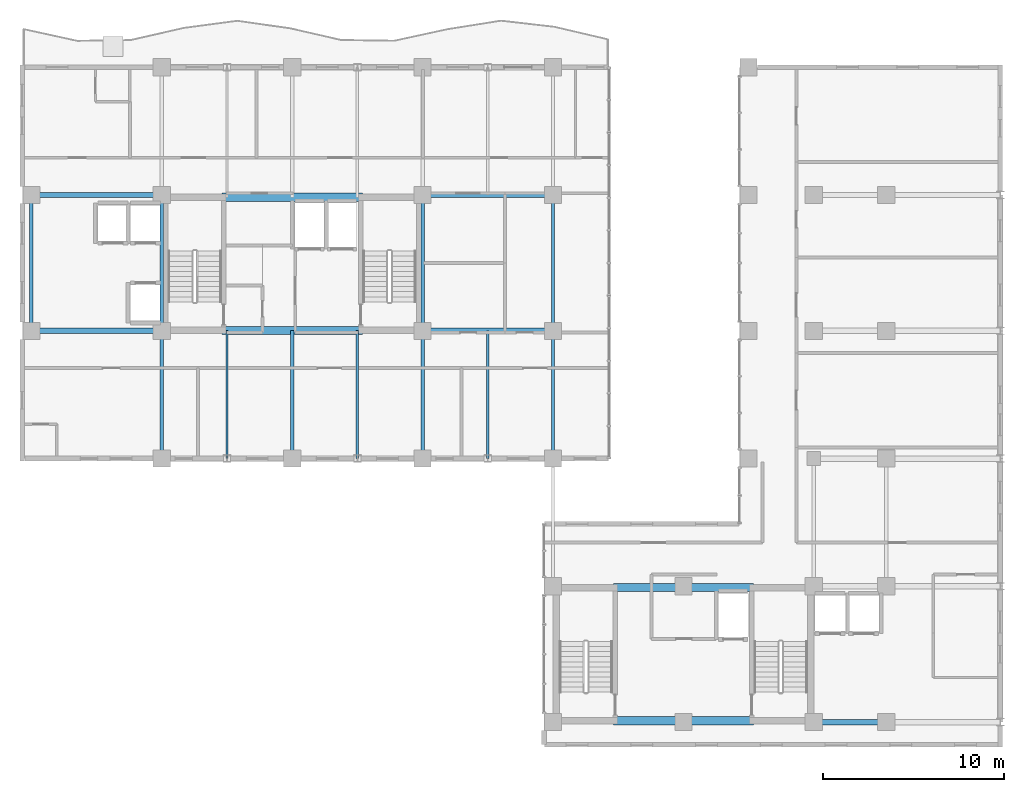
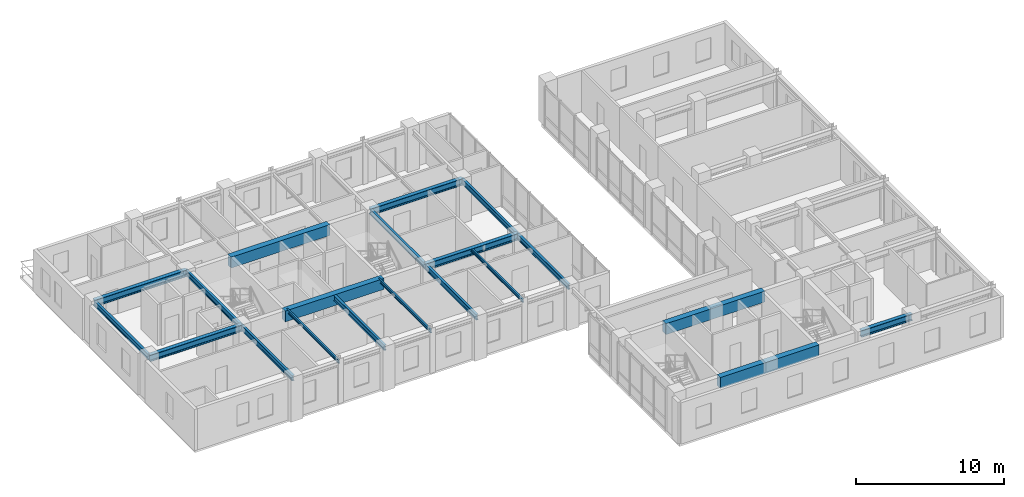
# One storey, part 6 of 24: 20 beams.
"""IFC4 building model written with IfcOpenShell, lengths in metres."""

import ifcopenshell
import ifcopenshell.guid

model = None  # the IFC model being written
_history = None  # IfcOwnerHistory: only IFC2X3 demands one
_inside = {}  # id of a spatial element -> (the spatial element, [elements in it])
_under = {}  # id of a project, library or spatial element -> (it, [spatial elements below it])
_declared = {}  # id of a project -> (the project, [libraries it declares])
_typed = {}  # id of a type object -> (the type object, [elements of that type])
_made_of = {}  # id of a material, layer set ... -> (it, [elements and type objects made of it])


def new_model(schema):
    """Start an empty IFC model of exactly this schema.

    Asked for "IFC4X3", IfcOpenShell would pick the latest addendum, in which some entities
    have other attributes; the version numbers below select the first issue.
    IFC2X3 requires an IfcOwnerHistory on every rooted entity: one is made here for all.
    """
    global model, _history
    if schema == "IFC4X3":
        model = ifcopenshell.file(schema_version=(4, 3, 0, 0))
    else:
        model = ifcopenshell.file(schema=schema)
    _inside.clear()
    _under.clear()
    _declared.clear()
    _typed.clear()
    _made_of.clear()
    _history = None
    if model.schema == "IFC2X3":
        org = make("IfcOrganization", Name="unknown")
        user = make(
            "IfcPersonAndOrganization",
            ThePerson=make("IfcPerson", FamilyName="unknown"),
            TheOrganization=org,
        )
        app = make(
            "IfcApplication",
            ApplicationDeveloper=org,
            Version="unknown",
            ApplicationFullName="unknown",
            ApplicationIdentifier="unknown",
        )
        _history = make(
            "IfcOwnerHistory",
            OwningUser=user,
            OwningApplication=app,
            ChangeAction="ADDED",
            CreationDate=0,
        )
    return model


def make(cls, **values):
    """One entity of the class cls with the attributes given. An attribute that is None is left unset."""
    return model.create_entity(
        cls, **{name: value for name, value in values.items() if value is not None}
    )


def rooted(cls, **values):
    """An entity with a GlobalId (a new one), such as an element, a storey or a relation."""
    return make(cls, GlobalId=ifcopenshell.guid.new(), OwnerHistory=_history, **values)


def si_unit(unit_type, name, prefix=None):
    """IfcSIUnit, for example si_unit("LENGTHUNIT", "METRE", prefix="MILLI")."""
    return make("IfcSIUnit", UnitType=unit_type, Prefix=prefix, Name=name)


def assignment(units):
    """IfcUnitAssignment: the units of a project."""
    return None if units is None else make("IfcUnitAssignment", Units=units)


def point(xyz):
    """IfcCartesianPoint."""
    return None if xyz is None else make("IfcCartesianPoint", Coordinates=xyz)


def direction(xyz):
    """IfcDirection."""
    return None if xyz is None else make("IfcDirection", DirectionRatios=xyz)


def frame(location, z_axis=None, x_axis=None):
    """IfcAxis2Placement3D, a coordinate frame: its origin and axes. An axis left out is left unset."""
    return make(
        "IfcAxis2Placement3D",
        Location=point(location),
        Axis=direction(z_axis),
        RefDirection=direction(x_axis),
    )


def frame_2d(location, x_axis=None):
    """IfcAxis2Placement2D, a coordinate frame in the plane: its origin and x axis."""
    return make(
        "IfcAxis2Placement2D", Location=point(location), RefDirection=direction(x_axis)
    )


def origin():
    """The frame at (0, 0, 0) with its axes left unset."""
    return frame((0.0, 0.0, 0.0))


def origin_2d():
    """The frame at (0, 0) in the plane with its x axis left unset."""
    return frame_2d((0.0, 0.0))


def place(relative_to, where):
    """IfcLocalPlacement: puts the frame where relative to a parent placement (None: the world)."""
    return make(
        "IfcLocalPlacement", PlacementRelTo=relative_to, RelativePlacement=where
    )


def context(
    kind, dimensions, precision=None, world=None, true_north=None, identifier=None
):
    """IfcGeometricRepresentationContext, for example the 3D "Model" context."""
    return make(
        "IfcGeometricRepresentationContext",
        ContextIdentifier=identifier,
        ContextType=kind,
        CoordinateSpaceDimension=dimensions,
        Precision=precision,
        WorldCoordinateSystem=world,
        TrueNorth=true_north,
    )


def subcontext(parent, identifier, kind, view, scale=None):
    """IfcGeometricRepresentationSubContext, for example "Body" below "Model"."""
    return make(
        "IfcGeometricRepresentationSubContext",
        ContextIdentifier=identifier,
        ContextType=kind,
        ParentContext=parent,
        TargetScale=scale,
        TargetView=view,
    )


def project(units=None, contexts=None):
    """IfcProject with its units and contexts."""
    return rooted(
        "IfcProject",
        Name="project",
        RepresentationContexts=contexts,
        UnitsInContext=assignment(units),
    )


def spatial(cls, under=None, at=None, **own):
    """A site, building, storey or space (cls), placed at a placement, below another one or the project."""
    s = rooted(cls, ObjectPlacement=at, **own)
    if under is not None:
        _under.setdefault(under.id(), (under, []))[1].append(s)
    return s


def profile(cls, at=None, kind="AREA", **sizes):
    """A parametric profile (cls). Its sizes go by their IFC names, for example OverallWidth=200.0."""
    return make(cls, ProfileType=kind, Position=at, **sizes)


def rectangle(**sizes):
    """IfcRectangleProfileDef."""
    return profile("IfcRectangleProfileDef", **sizes)


def i_section(**sizes):
    """IfcIShapeProfileDef."""
    return profile("IfcIShapeProfileDef", **sizes)


def extrude(swept, where, along, depth):
    """IfcExtrudedAreaSolid: the profile swept, set in the frame where, extruded along a direction by depth."""
    return make(
        "IfcExtrudedAreaSolid",
        SweptArea=swept,
        Position=where,
        ExtrudedDirection=direction(along),
        Depth=depth,
    )


def shape(context_of_items, identifier, shape_type, items):
    """IfcShapeRepresentation: the items that make up one representation, for example the "Body"."""
    return make(
        "IfcShapeRepresentation",
        ContextOfItems=context_of_items,
        RepresentationIdentifier=identifier,
        RepresentationType=shape_type,
        Items=items,
    )


def source(mapping_origin, context_of_items, identifier, shape_type, items):
    """IfcRepresentationMap: a shape defined once, which mapped items show again and again."""
    return make(
        "IfcRepresentationMap",
        MappingOrigin=mapping_origin,
        MappedRepresentation=shape(context_of_items, identifier, shape_type, items),
    )


def transform(
    local_origin,
    x_axis=None,
    y_axis=None,
    z_axis=None,
    scale=None,
    scale2=None,
    scale3=None,
    uniform=True,
):
    """IfcCartesianTransformationOperator3D, or its non-uniform kind. x_axis, y_axis, z_axis: its Axis1, 2, 3."""
    if uniform:
        return make(
            "IfcCartesianTransformationOperator3D",
            Axis1=direction(x_axis),
            Axis2=direction(y_axis),
            LocalOrigin=point(local_origin),
            Scale=scale,
            Axis3=direction(z_axis),
        )
    return make(
        "IfcCartesianTransformationOperator3DnonUniform",
        Axis1=direction(x_axis),
        Axis2=direction(y_axis),
        LocalOrigin=point(local_origin),
        Scale=scale,
        Axis3=direction(z_axis),
        Scale2=scale2,
        Scale3=scale3,
    )


def mapped(mapping_source, mapping_target):
    """IfcMappedItem: shows the shape of a source again, moved by a transform."""
    return make(
        "IfcMappedItem", MappingSource=mapping_source, MappingTarget=mapping_target
    )


def material(Name=None, Category=None):
    """IfcMaterial."""
    return make("IfcMaterial", Name=Name, Category=Category)


def material_profile(
    of_material, cross_section, Name=None, Category=None, Priority=None
):
    """IfcMaterialProfile: a cross section and its material."""
    return make(
        "IfcMaterialProfile",
        Name=Name,
        Material=of_material,
        Profile=cross_section,
        Priority=Priority,
        Category=Category,
    )


def profile_set(profiles, Name=None, composite=None):
    """IfcMaterialProfileSet."""
    return make(
        "IfcMaterialProfileSet",
        Name=Name,
        MaterialProfiles=profiles,
        CompositeProfile=composite,
    )


def made_of(thing, what):
    """Note that an element or type object is made of a material, layer set ...; save() writes the relation."""
    if what is not None:
        _made_of.setdefault(what.id(), (what, []))[1].append(thing)
    return thing


def type_object(cls, material=None, **own):
    """A type object (cls), such as IfcWallType, which elements share."""
    return made_of(rooted(cls, **own), material)


def element(
    cls,
    number,
    at=None,
    inside=None,
    cuts=None,
    type_object=None,
    material=None,
    context=None,
    identifier="Body",
    shape_type=None,
    held_by="IfcProductDefinitionShape",
    body=None,
    shapes=None,
    **own,
):
    """One element of the class cls, such as IfcWall. Its Tag is "e" and its number.

    at: its placement. inside: the storey or other place that contains it. cuts: it is an
    opening in that element (IfcRelVoidsElement). A single representation is given by context,
    identifier, shape_type and body (its items); several are given by shapes. held_by: the class
    of the entity that holds the representations. save() writes the other relations.
    """
    e = rooted(cls, Tag="e%d" % number, ObjectPlacement=at, **own)
    if body is not None:
        shapes = [shape(context, identifier, shape_type, body)]
    if shapes is not None:
        e.Representation = make(held_by, Representations=shapes)
    if inside is not None:
        _inside.setdefault(inside.id(), (inside, []))[1].append(e)
    if cuts is not None:
        rooted(
            "IfcRelVoidsElement", RelatingBuildingElement=cuts, RelatedOpeningElement=e
        )
    if type_object is not None:
        _typed.setdefault(type_object.id(), (type_object, []))[1].append(e)
    return made_of(e, material)


def aggregate(whole, parts):
    """IfcRelAggregates: a whole, such as a stair, and the parts it consists of."""
    return rooted("IfcRelAggregates", RelatingObject=whole, RelatedObjects=parts)


def save(model, path):
    """Write the relations noted so far, then the file.

    IfcRelAggregates (storeys below a building ...), IfcRelContainedInSpatialStructure (elements
    in a storey), IfcRelDefinesByType, IfcRelAssociatesMaterial and IfcRelDeclares: one each for
    every whole, place, type object, material and project.
    """
    for whole, parts in _under.values():
        aggregate(whole, parts)
    for where, things in _inside.values():
        rooted(
            "IfcRelContainedInSpatialStructure",
            RelatedElements=things,
            RelatingStructure=where,
        )
    for kind, things in _typed.values():
        rooted("IfcRelDefinesByType", RelatedObjects=things, RelatingType=kind)
    for what, things in _made_of.values():
        rooted("IfcRelAssociatesMaterial", RelatedObjects=things, RelatingMaterial=what)
    for by, libraries in _declared.values():
        rooted("IfcRelDeclares", RelatingContext=by, RelatedDefinitions=libraries)
    model.write(path)


model = new_model("IFC4")

# Units and contexts
model_context = context("Model", 3, precision=1e-05, world=origin(), true_north=direction((0.0, 1.0)))
body_context = subcontext(model_context, "Body", "Model", "MODEL_VIEW")
ifc_project = project(units=[si_unit("LENGTHUNIT", "METRE"), si_unit("AREAUNIT", "SQUARE_METRE"), si_unit("VOLUMEUNIT", "CUBIC_METRE"), si_unit("PLANEANGLEUNIT", "RADIAN"), si_unit("MASSUNIT", "GRAM", prefix="KILO")], contexts=[model_context])

# Site, building, storey
site_placement = place(None, origin())
site = spatial("IfcSite", under=ifc_project, at=site_placement, CompositionType="ELEMENT")
building_placement = place(site_placement, origin())
building = spatial("IfcBuilding", under=site, at=building_placement, Name="Kaliganga Portal Commons", CompositionType="ELEMENT")
storey_placement = place(building_placement, frame((0.0, 0.0, 238.800048828125)))
storey = spatial("IfcBuildingStorey", under=building, at=storey_placement, Name="L61", CompositionType="ELEMENT", Elevation=238.800048828125)

# Beams
ifc_material_1 = material(Name="Concrete C50/60", Category="concrete")
ifc_material_profile_1 = material_profile(ifc_material_1, rectangle(XDim=0.449951171875, YDim=0.89990234375, at=origin_2d()), Name="RC 450x900")
ifc_profile_set_1 = profile_set([ifc_material_profile_1], Name="Concrete C50/60")
beam_type_1 = type_object("IfcBeamType", Name="BM-CPL-900", PredefinedType="LINTEL", material=ifc_profile_set_1)
shared_shape_1 = source(origin(), body_context, "Body", "SweptSolid", [
    extrude(rectangle(XDim=0.449951171875, YDim=0.89990234375, at=origin_2d()), origin(), (0.0, 0.0, 1.0), 7.739990234375),
])
for number, where, z_axis, x_axis, name in (
    (1, (17.72998046875, 28.675048828125, 2.989990234375), (1.0, 0.0, 0.0), (0.0, 1.0, 0.0), "BM CPL COREA L61 S"),
    (2, (17.72998046875, 36.02490234375, 2.989990234375), (1.0, 0.0, 0.0), (0.0, 1.0, 0.0), "BM CPL COREA L61 N"),
    (3, (39.330078125, 7.125, 2.989990234375), (1.0, 0.0, 0.0), (0.0, 1.0, 0.0), "BM CPL COREB L61 S"),
    (4, (39.330078125, 14.47509765625, 2.989990234375), (1.0, 0.0, 0.0), (0.0, 1.0, 0.0), "BM CPL COREB L61 N"),
):
    element("IfcBeam", number, at=place(storey_placement, frame(where, z_axis=z_axis, x_axis=x_axis)), inside=storey, type_object=beam_type_1, Name=name, PredefinedType="LINTEL", context=body_context, shape_type="MappedRepresentation", body=[
        mapped(shared_shape_1, transform((0.0, 0.0, 0.0), x_axis=(1.0, 0.0, 0.0), y_axis=(0.0, 1.0, 0.0), z_axis=(0.0, 0.0, 1.0), scale=1.0)),
    ])
ifc_material_2 = material(Name="Structural steel S355J2", Category="steel")
ifc_material_profile_2 = material_profile(ifc_material_2, i_section(OverallWidth=0.18994140625, OverallDepth=0.449951171875, WebThickness=0.009521484375, FlangeThickness=0.0146484375, FilletRadius=0.02099609375, at=origin_2d()), Name="IPE 450")
ifc_profile_set_2 = profile_set([ifc_material_profile_2], Name="Structural steel S355J2 wide-flange")
beam_type_2 = type_object("IfcBeamType", Name="BM-FLR-450", PredefinedType="BEAM", material=ifc_profile_set_2)
shared_shape_2 = source(origin(), body_context, "Body", "SweptSolid", [
    extrude(i_section(OverallWidth=0.18994140625, OverallDepth=0.449951171875, WebThickness=0.009521484375, FlangeThickness=0.0146484375, FilletRadius=0.02099609375, at=origin_2d()), origin(), (0.0, 0.0, 1.0), 7.5),
])
for number, where, z_axis, x_axis, name in (
    (5, (7.199951171875, 28.64990234375, 3.21484375), (0.0, 1.0, 0.0), (-1.0, 0.0, 0.0), "BM G L61 AW72"),
    (6, (14.39990234375, 28.64990234375, 3.21484375), (0.0, 1.0, 0.0), (-1.0, 0.0, 0.0), "BM G L61 AM144"),
    (7, (28.800048828125, 28.64990234375, 3.21484375), (0.0, 1.0, 0.0), (-1.0, 0.0, 0.0), "BM G L61 AM288"),
    (8, (36.0, 28.64990234375, 3.21484375), (0.0, 1.0, 0.0), (-1.0, 0.0, 0.0), "BM G L61 AM360"),
):
    element("IfcBeam", number, at=place(storey_placement, frame(where, z_axis=z_axis, x_axis=x_axis)), inside=storey, type_object=beam_type_2, Name=name, PredefinedType="BEAM", context=body_context, shape_type="MappedRepresentation", body=[
        mapped(shared_shape_2, transform((0.0, 0.0, 0.0), x_axis=(1.0, 0.0, 0.0), y_axis=(0.0, 1.0, 0.0), z_axis=(0.0, 0.0, 1.0), scale=1.0)),
    ])
shared_shape_3 = source(origin(), body_context, "Body", "SweptSolid", [
    extrude(i_section(OverallWidth=0.18994140625, OverallDepth=0.449951171875, WebThickness=0.009521484375, FlangeThickness=0.0146484375, FilletRadius=0.02099609375, at=origin_2d()), origin(), (0.0, 0.0, 1.0), 7.0498046875),
])
for number, where, z_axis, x_axis, name in (
    (9, (14.39990234375, 21.60009765625, 3.21484375), (0.0, 1.0, 0.0), (-1.0, 0.0, 0.0), "BM G L61 AS144"),
    (10, (28.800048828125, 21.60009765625, 3.21484375), (0.0, 1.0, 0.0), (-1.0, 0.0, 0.0), "BM G L61 AS288"),
    (11, (36.0, 21.60009765625, 3.21484375), (0.0, 1.0, 0.0), (-1.0, 0.0, 0.0), "BM G L61 AS360"),
):
    element("IfcBeam", number, at=place(storey_placement, frame(where, z_axis=z_axis, x_axis=x_axis)), inside=storey, type_object=beam_type_2, Name=name, PredefinedType="BEAM", context=body_context, shape_type="MappedRepresentation", body=[
        mapped(shared_shape_3, transform((0.0, 0.0, 0.0), x_axis=(1.0, 0.0, 0.0), y_axis=(0.0, 1.0, 0.0), z_axis=(0.0, 0.0, 1.0), scale=1.0)),
    ])
ifc_material_profile_3 = material_profile(ifc_material_2, i_section(OverallWidth=0.300048828125, OverallDepth=0.550048828125, WebThickness=0.014892578125, FlangeThickness=0.029052734375, FilletRadius=0.027099609375, at=origin_2d()), Name="HE 550 B")
ifc_profile_set_3 = profile_set([ifc_material_profile_3], Name="Structural steel S355J2 wide-flange")
beam_type_3 = type_object("IfcBeamType", Name="BM-GIRD-550", PredefinedType="USERDEFINED", material=ifc_profile_set_3)
shared_shape_4 = source(origin(), body_context, "Body", "SweptSolid", [
    extrude(i_section(OverallWidth=0.300048828125, OverallDepth=0.550048828125, WebThickness=0.014892578125, FlangeThickness=0.029052734375, FilletRadius=0.027099609375, at=origin_2d()), origin(), (0.0, 0.0, 1.0), 7.199951171875),
])
for number, where, z_axis, x_axis, name in (
    (12, (7.199951171875, 28.64990234375, 3.1650390625), (1.0, 0.0, 0.0), (0.0, 1.0, 0.0), "BM G L61 WAH_S 1"),
    (13, (7.199951171875, 36.14990234375, 3.1650390625), (1.0, 0.0, 0.0), (0.0, 1.0, 0.0), "BM G L61 WAH_N 1"),
    (14, (28.800048828125, 28.64990234375, 3.1650390625), (1.0, 0.0, 0.0), (0.0, 1.0, 0.0), "BM G L61 WAE_S 1"),
    (15, (28.800048828125, 36.14990234375, 3.1650390625), (1.0, 0.0, 0.0), (0.0, 1.0, 0.0), "BM G L61 WAE_N 1"),
):
    element("IfcBeam", number, at=place(storey_placement, frame(where, z_axis=z_axis, x_axis=x_axis)), inside=storey, type_object=beam_type_3, Name=name, ObjectType="GIRDER", PredefinedType="USERDEFINED", context=body_context, shape_type="MappedRepresentation", body=[
        mapped(shared_shape_4, transform((0.0, 0.0, 0.0), x_axis=(1.0, 0.0, 0.0), y_axis=(0.0, 1.0, 0.0), z_axis=(0.0, 0.0, 1.0), scale=1.0)),
    ])
shared_shape_5 = source(origin(), body_context, "Body", "SweptSolid", [
    extrude(i_section(OverallWidth=0.18994140625, OverallDepth=0.449951171875, WebThickness=0.009521484375, FlangeThickness=0.0146484375, FilletRadius=0.02099609375, at=origin_2d()), origin(), (0.0, 0.0, 1.0), 7.074951171875),
])
beam_1_placement = place(storey_placement, frame((21.60009765625, 21.60009765625, 3.21484375), z_axis=(0.0, 1.0, 0.0), x_axis=(-1.0, 0.0, 0.0)))
element("IfcBeam", 16, at=beam_1_placement, inside=storey, type_object=beam_type_2, Name="BM G L61 AS216", PredefinedType="BEAM", context=body_context, shape_type="MappedRepresentation", body=[
    mapped(shared_shape_5, transform((0.0, 0.0, 0.0), x_axis=(1.0, 0.0, 0.0), y_axis=(0.0, 1.0, 0.0), z_axis=(0.0, 0.0, 1.0), scale=1.0)),
])
shared_shape_6 = source(origin(), body_context, "Body", "SweptSolid", [
    extrude(i_section(OverallWidth=0.300048828125, OverallDepth=0.550048828125, WebThickness=0.014892578125, FlangeThickness=0.029052734375, FilletRadius=0.027099609375, at=origin_2d()), origin(), (0.0, 0.0, 1.0), 4.0),
])
beam_2_placement = place(storey_placement, frame((50.39990234375, 7.050048828125, 3.1650390625), z_axis=(1.0, 0.0, 0.0), x_axis=(0.0, 1.0, 0.0)))
element("IfcBeam", 17, at=beam_2_placement, inside=storey, type_object=beam_type_3, Name="BM G L61 BKE70 1", ObjectType="GIRDER", PredefinedType="USERDEFINED", context=body_context, shape_type="MappedRepresentation", body=[
    mapped(shared_shape_6, transform((0.0, 0.0, 0.0), x_axis=(1.0, 0.0, 0.0), y_axis=(0.0, 1.0, 0.0), z_axis=(0.0, 0.0, 1.0), scale=1.0)),
])
ifc_material_profile_4 = material_profile(ifc_material_2, i_section(OverallWidth=0.135009765625, OverallDepth=0.27001953125, WebThickness=0.006591796875, FlangeThickness=0.01025390625, FilletRadius=0.014892578125, at=origin_2d()), Name="IPE 270")
ifc_profile_set_4 = profile_set([ifc_material_profile_4], Name="Structural steel S355J2 wide-flange")
beam_type_4 = type_object("IfcBeamType", Name="BM-JST-270", PredefinedType="JOIST", material=ifc_profile_set_4)
shared_shape_7 = source(origin(), body_context, "Body", "SweptSolid", [
    extrude(i_section(OverallWidth=0.135009765625, OverallDepth=0.27001953125, WebThickness=0.006591796875, FlangeThickness=0.01025390625, FilletRadius=0.014892578125, at=origin_2d()), origin(), (0.0, 0.0, 1.0), 7.074951171875),
])
for number, where, z_axis, x_axis, name in (
    (18, (18.0, 21.60009765625, 3.304931640625), (0.0, 1.0, 0.0), (-1.0, 0.0, 0.0), "BM G L61 AS180"),
    (19, (25.199951171875, 21.60009765625, 3.304931640625), (0.0, 1.0, 0.0), (-1.0, 0.0, 0.0), "BM G L61 AS252"),
):
    element("IfcBeam", number, at=place(storey_placement, frame(where, z_axis=z_axis, x_axis=x_axis)), inside=storey, type_object=beam_type_4, Name=name, PredefinedType="JOIST", context=body_context, shape_type="MappedRepresentation", body=[
        mapped(shared_shape_7, transform((0.0, 0.0, 0.0), x_axis=(1.0, 0.0, 0.0), y_axis=(0.0, 1.0, 0.0), z_axis=(0.0, 0.0, 1.0), scale=1.0)),
    ])
shared_shape_8 = source(origin(), body_context, "Body", "SweptSolid", [
    extrude(i_section(OverallWidth=0.135009765625, OverallDepth=0.27001953125, WebThickness=0.006591796875, FlangeThickness=0.01025390625, FilletRadius=0.014892578125, at=origin_2d()), origin(), (0.0, 0.0, 1.0), 7.0498046875),
])
beam_3_placement = place(storey_placement, frame((32.39990234375, 21.60009765625, 3.304931640625), z_axis=(0.0, 1.0, 0.0), x_axis=(-1.0, 0.0, 0.0)))
element("IfcBeam", 20, at=beam_3_placement, inside=storey, type_object=beam_type_4, Name="BM G L61 AS324", PredefinedType="JOIST", context=body_context, shape_type="MappedRepresentation", body=[
    mapped(shared_shape_8, transform((0.0, 0.0, 0.0), x_axis=(1.0, 0.0, 0.0), y_axis=(0.0, 1.0, 0.0), z_axis=(0.0, 0.0, 1.0), scale=1.0)),
])

save(model, "model.ifc")
